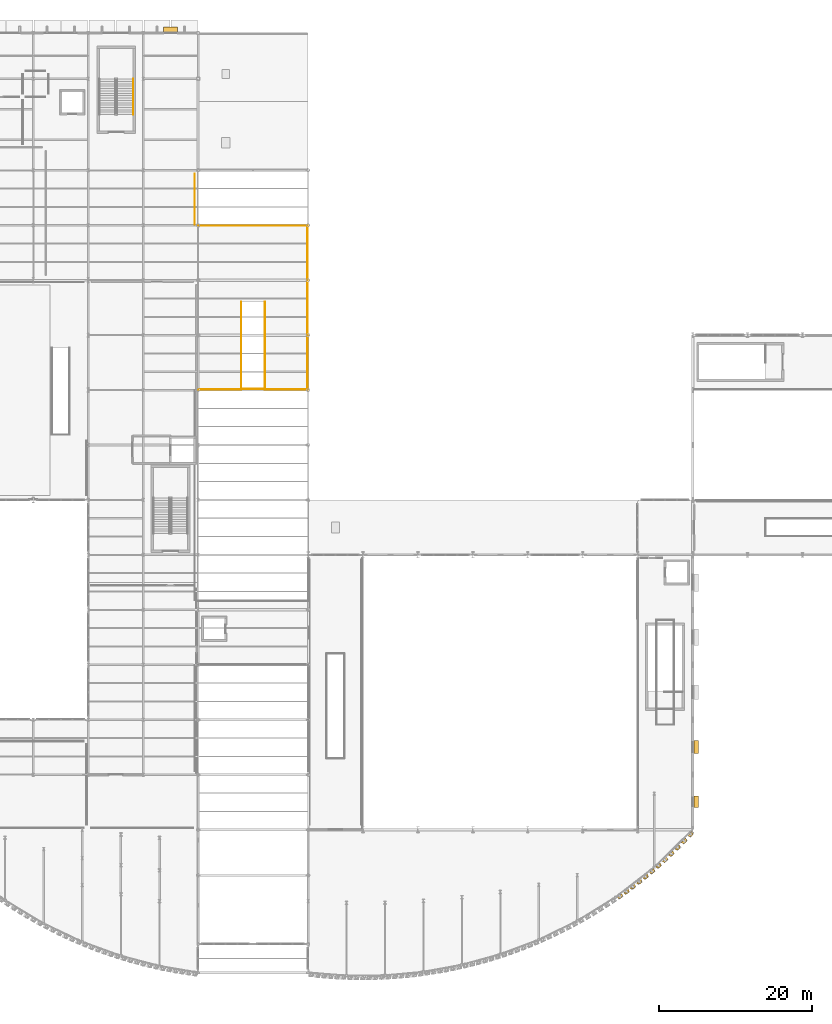
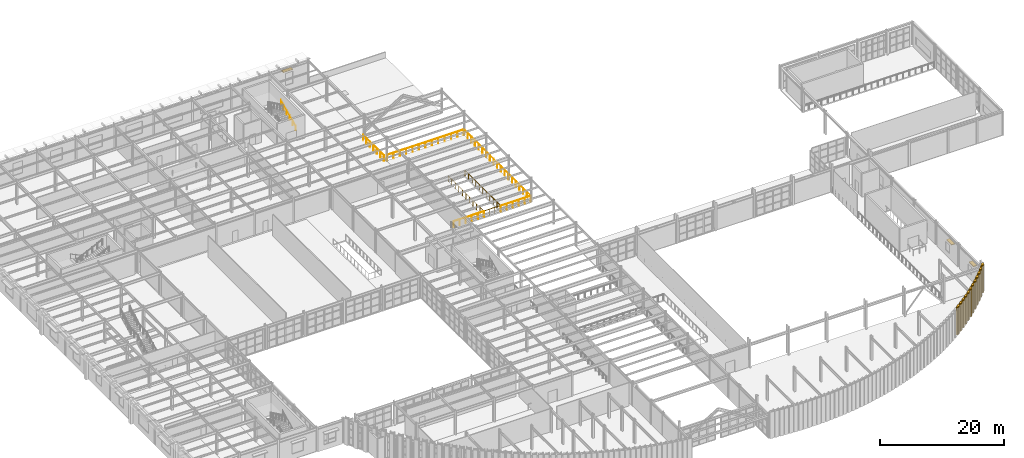
# One storey, part 125 of 126: 12 coverings, 7 railings, 3 shading devices.
"""IFC4 building model written with IfcOpenShell, lengths in metres."""

from ifc_helpers import new_model, si_unit, direction, frame, origin, origin_2d, place, context, subcontext, project, spatial, polyline, rectangle, circle, outline, extrude, material, layer, layer_set, type_object, element, save


model = new_model("IFC4")

# Units and contexts
model_context = context("Model", 3, precision=1e-05, world=origin(), true_north=direction((0.0, 1.0)))
body_context = subcontext(model_context, "Body", "Model", "MODEL_VIEW")
ifc_project = project(units=[si_unit("LENGTHUNIT", "METRE"), si_unit("AREAUNIT", "SQUARE_METRE"), si_unit("VOLUMEUNIT", "CUBIC_METRE"), si_unit("PLANEANGLEUNIT", "RADIAN"), si_unit("MASSUNIT", "GRAM", prefix="KILO")], contexts=[model_context])

# Site, building, storey
site_placement = place(None, origin())
site = spatial("IfcSite", under=ifc_project, at=site_placement, CompositionType="ELEMENT")
building_placement = place(site_placement, origin())
building = spatial("IfcBuilding", under=site, at=building_placement, Name="Solvadek Multi-Sports Hall", CompositionType="ELEMENT")
storey_placement = place(building_placement, frame((0.0, 0.0, 9.60009765625)))
storey = spatial("IfcBuildingStorey", under=building, at=storey_placement, Name="L02", CompositionType="ELEMENT", Elevation=9.60009765625)

# Coverings
ifc_material_1 = material(Name="Perforated champagne-bronze anodised aluminium", Category="aluminium")
ifc_layer = layer(ifc_material_1, 0.06494140625, Name="Perforated champagne-bronze anodised aluminium")
ifc_layer_set = layer_set([ifc_layer], Name="Perforated champagne-bronze anodised aluminium")
covering_type = type_object("IfcCoveringType", Name="ENV-COV-FLUTED", PredefinedType="CLADDING", material=ifc_layer_set)
covering_1_placement = place(storey_placement, frame((0.0, 0.0, 0.010009765625)))
element("IfcCovering", 1, at=covering_1_placement, inside=storey, type_object=covering_type, Name="L02 Perforated Bronze Half-Cylinder Fluted Shell #207", PredefinedType="CLADDING", context=body_context, shape_type="SweptSolid", body=[
    extrude(outline(polyline([(127.53125, -2.397216796875), (127.597412109375, -2.542724609375), (127.60302734375, -2.70263671875), (127.546875, -2.8525390625), (127.4375, -2.969482421875), (127.2919921875, -3.03564453125), (127.132080078125, -3.041015625), (126.982421875, -2.98486328125), (126.865478515625, -2.875732421875), (126.918212890625, -2.837890625), (126.832275390625, -2.9296875), (126.802001953125, -2.976806640625), (126.832275390625, -2.972412109375), (126.918212890625, -2.91650390625), (127.046630859375, -2.818359375), (127.198486328125, -2.692138671875), (127.35009765625, -2.5576171875), (127.478515625, -2.43505859375), (127.53125, -2.397216796875)])), origin(), (0.0, 0.0, 1.0), 5.489990234375),
])
covering_2_placement = place(storey_placement, frame((0.0, 0.0, 0.010009765625)))
element("IfcCovering", 2, at=covering_2_placement, inside=storey, type_object=covering_type, Name="L02 Perforated Bronze Half-Cylinder Fluted Shell #208", PredefinedType="CLADDING", context=body_context, shape_type="SweptSolid", body=[
    extrude(outline(polyline([(128.371337890625, -1.793701171875), (128.4375, -1.939208984375), (128.443115234375, -2.09912109375), (128.38671875, -2.248779296875), (128.277587890625, -2.36572265625), (128.132080078125, -2.431884765625), (127.97216796875, -2.4375), (127.822265625, -2.38134765625), (127.705322265625, -2.272216796875), (127.75830078125, -2.234130859375), (127.67236328125, -2.326171875), (127.64208984375, -2.373291015625), (127.67236328125, -2.36865234375), (127.75830078125, -2.31298828125), (127.88671875, -2.214599609375), (128.038330078125, -2.088623046875), (128.18994140625, -1.9541015625), (128.318603515625, -1.83154296875), (128.371337890625, -1.793701171875)])), origin(), (0.0, 0.0, 1.0), 5.489990234375),
])
covering_3_placement = place(storey_placement, frame((0.0, 0.0, 0.010009765625)))
element("IfcCovering", 3, at=covering_3_placement, inside=storey, type_object=covering_type, Name="L02 Perforated Bronze Half-Cylinder Fluted Shell #211", PredefinedType="CLADDING", context=body_context, shape_type="SweptSolid", body=[
    extrude(outline(polyline([(129.205322265625, -1.15234375), (129.27685546875, -1.29541015625), (129.2880859375, -1.455078125), (129.2373046875, -1.606689453125), (129.13232421875, -1.7275390625), (128.9892578125, -1.798828125), (128.82958984375, -1.810302734375), (128.677978515625, -1.759521484375), (128.55712890625, -1.654541015625), (128.6083984375, -1.61474609375), (128.52490234375, -1.702880859375), (128.49560546875, -1.74560546875), (128.52490234375, -1.736083984375), (128.6083984375, -1.676025390625), (128.733642578125, -1.574462890625), (128.881103515625, -1.44677734375), (129.02880859375, -1.3125), (129.154052734375, -1.192138671875), (129.205322265625, -1.15234375)])), origin(), (0.0, 0.0, 1.0), 5.489990234375),
])
covering_4_placement = place(storey_placement, frame((0.0, 0.0, 0.010009765625)))
element("IfcCovering", 4, at=covering_4_placement, inside=storey, type_object=covering_type, Name="L02 Perforated Bronze Half-Cylinder Fluted Shell #212", PredefinedType="CLADDING", context=body_context, shape_type="SweptSolid", body=[
    extrude(outline(polyline([(130.04541015625, -0.50146484375), (130.11669921875, -0.64453125), (130.1279296875, -0.80419921875), (130.077392578125, -0.955810546875), (129.972412109375, -1.07666015625), (129.8291015625, -1.148193359375), (129.669677734375, -1.1591796875), (129.517822265625, -1.108642578125), (129.397216796875, -1.003662109375), (129.448486328125, -0.9638671875), (129.364990234375, -1.05224609375), (129.335693359375, -1.0947265625), (129.364990234375, -1.08544921875), (129.448486328125, -1.025390625), (129.57373046875, -0.923583984375), (129.72119140625, -0.7958984375), (129.868896484375, -0.66162109375), (129.993896484375, -0.541259765625), (130.04541015625, -0.50146484375)])), origin(), (0.0, 0.0, 1.0), 5.489990234375),
])
covering_5_placement = place(storey_placement, frame((0.0, 0.0, 0.010009765625)))
element("IfcCovering", 5, at=covering_5_placement, inside=storey, type_object=covering_type, Name="L02 Perforated Bronze Half-Cylinder Fluted Shell #215", PredefinedType="CLADDING", context=body_context, shape_type="SweptSolid", body=[
    extrude(outline(polyline([(130.878662109375, 0.189208984375), (130.955322265625, 0.048828125), (130.972412109375, -0.1103515625), (130.927490234375, -0.263916015625), (130.8271484375, -0.38818359375), (130.686767578125, -0.465087890625), (130.527587890625, -0.482177734375), (130.3740234375, -0.43701171875), (130.24951171875, -0.336669921875), (130.29931640625, -0.294921875), (130.21826171875, -0.37939453125), (130.189697265625, -0.41748046875), (130.21826171875, -0.403076171875), (130.29931640625, -0.33837890625), (130.4208984375, -0.233642578125), (130.564208984375, -0.1044921875), (130.70751953125, 0.029296875), (130.828857421875, 0.1474609375), (130.878662109375, 0.189208984375)])), origin(), (0.0, 0.0, 1.0), 5.489990234375),
])
covering_6_placement = place(storey_placement, frame((0.0, 0.0, 0.010009765625)))
element("IfcCovering", 6, at=covering_6_placement, inside=storey, type_object=covering_type, Name="L02 Perforated Bronze Half-Cylinder Fluted Shell #216", PredefinedType="CLADDING", context=body_context, shape_type="SweptSolid", body=[
    extrude(outline(polyline([(131.71875, 0.891357421875), (131.79541015625, 0.7509765625), (131.8125, 0.591796875), (131.767578125, 0.4384765625), (131.6669921875, 0.313720703125), (131.526611328125, 0.237060546875), (131.36767578125, 0.219970703125), (131.214111328125, 0.26513671875), (131.089599609375, 0.365478515625), (131.139404296875, 0.406982421875), (131.058349609375, 0.32275390625), (131.02978515625, 0.284912109375), (131.058349609375, 0.29931640625), (131.139404296875, 0.36376953125), (131.260986328125, 0.468505859375), (131.404052734375, 0.59765625), (131.54736328125, 0.7314453125), (131.668701171875, 0.849609375), (131.71875, 0.891357421875)])), origin(), (0.0, 0.0, 1.0), 5.489990234375),
])
covering_7_placement = place(storey_placement, frame((0.0, 0.0, 0.010009765625)))
element("IfcCovering", 7, at=covering_7_placement, inside=storey, type_object=covering_type, Name="L02 Perforated Bronze Half-Cylinder Fluted Shell #219", PredefinedType="CLADDING", context=body_context, shape_type="SweptSolid", body=[
    extrude(outline(polyline([(132.55126953125, 1.635986328125), (132.63330078125, 1.498779296875), (132.656494140625, 1.34033203125), (132.6171875, 1.185302734375), (132.521728515625, 1.056884765625), (132.384521484375, 0.97509765625), (132.226318359375, 0.951904296875), (132.071044921875, 0.990966796875), (131.942626953125, 1.08642578125), (131.990966796875, 1.130126953125), (131.91259765625, 1.0498046875), (131.885009765625, 1.0166015625), (131.91259765625, 1.0361328125), (131.990966796875, 1.105224609375), (132.1083984375, 1.213134765625), (132.2470703125, 1.34375), (132.385498046875, 1.476806640625), (132.503173828125, 1.592529296875), (132.55126953125, 1.635986328125)])), origin(), (0.0, 0.0, 1.0), 5.489990234375),
])
covering_8_placement = place(storey_placement, frame((0.0, 0.0, 0.010009765625)))
element("IfcCovering", 8, at=covering_8_placement, inside=storey, type_object=covering_type, Name="L02 Perforated Bronze Half-Cylinder Fluted Shell #220", PredefinedType="CLADDING", context=body_context, shape_type="SweptSolid", body=[
    extrude(outline(polyline([(133.391357421875, 2.394775390625), (133.473388671875, 2.25732421875), (133.49658203125, 2.09912109375), (133.457275390625, 1.94384765625), (133.36181640625, 1.815673828125), (133.224609375, 1.733642578125), (133.066162109375, 1.71044921875), (132.9111328125, 1.74951171875), (132.78271484375, 1.84521484375), (132.8310546875, 1.888671875), (132.75244140625, 1.808349609375), (132.724853515625, 1.775390625), (132.75244140625, 1.794921875), (132.8310546875, 1.86376953125), (132.948486328125, 1.9716796875), (133.0869140625, 2.102294921875), (133.2255859375, 2.235595703125), (133.343017578125, 2.35107421875), (133.391357421875, 2.394775390625)])), origin(), (0.0, 0.0, 1.0), 5.489990234375),
])
covering_9_placement = place(storey_placement, frame((0.0, 0.0, 0.010009765625)))
element("IfcCovering", 9, at=covering_9_placement, inside=storey, type_object=covering_type, Name="L02 Perforated Bronze Half-Cylinder Fluted Shell #223", PredefinedType="CLADDING", context=body_context, shape_type="SweptSolid", body=[
    extrude(outline(polyline([(134.22314453125, 3.19921875), (134.310302734375, 3.065185546875), (134.33984375, 2.907958984375), (134.306884765625, 2.75146484375), (134.216552734375, 2.619384765625), (134.08251953125, 2.531982421875), (133.92529296875, 2.502685546875), (133.768798828125, 2.53564453125), (133.63671875, 2.6259765625), (133.68310546875, 2.67138671875), (133.607666015625, 2.59521484375), (133.5810546875, 2.567626953125), (133.607666015625, 2.59228515625), (133.68310546875, 2.666015625), (133.79638671875, 2.777099609375), (133.929931640625, 2.90869140625), (134.0634765625, 3.041015625), (134.176513671875, 3.15380859375), (134.22314453125, 3.19921875)])), origin(), (0.0, 0.0, 1.0), 5.489990234375),
])
covering_10_placement = place(storey_placement, frame((0.0, 0.0, 0.010009765625)))
element("IfcCovering", 10, at=covering_10_placement, inside=storey, type_object=covering_type, Name="L02 Perforated Bronze Half-Cylinder Fluted Shell #224", PredefinedType="CLADDING", context=body_context, shape_type="SweptSolid", body=[
    extrude(outline(polyline([(135.06298828125, 4.0205078125), (135.150390625, 3.88671875), (135.179931640625, 3.729248046875), (135.14697265625, 3.57275390625), (135.056640625, 3.44091796875), (134.922607421875, 3.353515625), (134.765380859375, 3.323974609375), (134.60888671875, 3.35693359375), (134.476806640625, 3.447265625), (134.523193359375, 3.49267578125), (134.447509765625, 3.416748046875), (134.421142578125, 3.388916015625), (134.447509765625, 3.413818359375), (134.523193359375, 3.4873046875), (134.636474609375, 3.598388671875), (134.77001953125, 3.72998046875), (134.9033203125, 3.8623046875), (135.0166015625, 3.97509765625), (135.06298828125, 4.0205078125)])), origin(), (0.0, 0.0, 1.0), 5.489990234375),
])
covering_11_placement = place(storey_placement, frame((0.0, 0.0, 0.010009765625)))
element("IfcCovering", 11, at=covering_11_placement, inside=storey, type_object=covering_type, Name="L02 Perforated Bronze Half-Cylinder Fluted Shell #227", PredefinedType="CLADDING", context=body_context, shape_type="SweptSolid", body=[
    extrude(outline(polyline([(135.893798828125, 4.89208984375), (135.98681640625, 4.76171875), (136.022705078125, 4.605712890625), (135.99609375, 4.447998046875), (135.911376953125, 4.3125), (135.781005859375, 4.219482421875), (135.625, 4.18359375), (135.46728515625, 4.210205078125), (135.331787109375, 4.294921875), (135.376220703125, 4.34228515625), (135.3037109375, 4.27099609375), (135.2783203125, 4.248779296875), (135.3037109375, 4.27880859375), (135.376220703125, 4.35693359375), (135.48486328125, 4.47119140625), (135.61279296875, 4.60400390625), (135.74072265625, 4.735107421875), (135.849365234375, 4.8447265625), (135.893798828125, 4.89208984375)])), origin(), (0.0, 0.0, 1.0), 5.489990234375),
])
covering_12_placement = place(storey_placement, frame((0.0, 0.0, 0.010009765625)))
element("IfcCovering", 12, at=covering_12_placement, inside=storey, type_object=covering_type, Name="L02 Perforated Bronze Half-Cylinder Fluted Shell #228", PredefinedType="CLADDING", context=body_context, shape_type="SweptSolid", body=[
    extrude(outline(polyline([(136.73388671875, 5.783935546875), (136.82666015625, 5.65380859375), (136.862548828125, 5.497802734375), (136.836181640625, 5.340087890625), (136.751220703125, 5.204345703125), (136.62109375, 5.111572265625), (136.465087890625, 5.07568359375), (136.307373046875, 5.10205078125), (136.171630859375, 5.18701171875), (136.21630859375, 5.234375), (136.143798828125, 5.162841796875), (136.118408203125, 5.140625), (136.143798828125, 5.1708984375), (136.21630859375, 5.248779296875), (136.32470703125, 5.363037109375), (136.452880859375, 5.495849609375), (136.580810546875, 5.626953125), (136.689208984375, 5.736572265625), (136.73388671875, 5.783935546875)])), origin(), (0.0, 0.0, 1.0), 5.489990234375),
])

# Shading devices
shading_device_type = type_object("IfcShadingDeviceType", Name="ENV-SHD-CHAJJA2", PredefinedType="JALOUSIE", material=ifc_material_1)
shading_device_1_placement = place(storey_placement, frame((68.373291015625, 110.869384765625, 3.419921875), z_axis=(0.0, 0.0, 1.0), x_axis=(1.0, 0.0, 0.0)))
element("IfcShadingDevice", 13, at=shading_device_1_placement, inside=storey, type_object=shading_device_type, Name="L02 Chajja Solar Shading Hood #46", PredefinedType="JALOUSIE", context=body_context, shape_type="SweptSolid", body=[
    extrude(rectangle(XDim=1.800048828125, YDim=0.639892578125, at=origin_2d()), origin(), (0.0, 0.0, 1.0), 0.1201171875),
])
shading_device_2_placement = place(storey_placement, frame((137.26953125, 9.64990234375, 2.619873046875), z_axis=(0.0, 0.0, 1.0), x_axis=(0.0, 1.0, 0.0)))
element("IfcShadingDevice", 14, at=shading_device_2_placement, inside=storey, type_object=shading_device_type, Name="L02 Chajja Solar Shading Hood #57", PredefinedType="JALOUSIE", context=body_context, shape_type="SweptSolid", body=[
    extrude(rectangle(XDim=1.5, YDim=0.639892578125, at=origin_2d()), origin(), (0.0, 0.0, 1.0), 0.1201171875),
])
shading_device_3_placement = place(storey_placement, frame((137.26953125, 16.800048828125, 2.619873046875), z_axis=(0.0, 0.0, 1.0), x_axis=(0.0, 1.0, 0.0)))
element("IfcShadingDevice", 15, at=shading_device_3_placement, inside=storey, type_object=shading_device_type, Name="L02 Chajja Solar Shading Hood #59", PredefinedType="JALOUSIE", context=body_context, shape_type="SweptSolid", body=[
    extrude(rectangle(XDim=1.699951171875, YDim=0.639892578125, at=origin_2d()), origin(), (0.0, 0.0, 1.0), 0.1201171875),
])

# Railings
ifc_material_2 = material(Name="Steel E250 (250 MPa)", Category="steel")
railing_type_1 = type_object("IfcRailingType", Name="INT-RAL-GRD115", PredefinedType="BALUSTRADE", material=ifc_material_2)
railing_1_placement = place(storey_placement, frame((77.639892578125, 75.1201171875, 0.0)))
element("IfcRailing", 16, at=railing_1_placement, inside=storey, type_object=railing_type_1, Name="L02 Void Edge Balustrade Guard #4", PredefinedType="BALUSTRADE", context=body_context, shape_type="SweptSolid", body=[
    extrude(circle(Radius=0.02392578125, at=origin_2d()), frame((0.0, 0.0, 1.1259765625), z_axis=(0.0, -1.0, 0.0), x_axis=(1.0, 0.0, 0.0)), (0.0, 0.0, 1.0), 11.380126953125),
    extrude(circle(Radius=0.02392578125, at=origin_2d()), frame((0.0, -11.380126953125, 1.1259765625), z_axis=(1.0, 0.0, 0.0), x_axis=(0.0, 1.0, 0.0)), (0.0, 0.0, 1.0), 3.1201171875),
    extrude(circle(Radius=0.02392578125, at=origin_2d()), frame((3.1201171875, -11.380126953125, 1.1259765625), z_axis=(0.0, 1.0, 0.0), x_axis=(-1.0, 0.0, 0.0)), (0.0, 0.0, 1.0), 11.380126953125),
    extrude(circle(Radius=0.02099609375, at=origin_2d()), origin(), (0.0, 0.0, 1.0), 1.101806640625),
    extrude(circle(Radius=0.02099609375, at=origin_2d()), frame((0.0, -1.137939453125, 0.0)), (0.0, 0.0, 1.0), 1.101806640625),
    extrude(circle(Radius=0.02099609375, at=origin_2d()), frame((0.0, -2.276123046875, 0.0)), (0.0, 0.0, 1.0), 1.101806640625),
    extrude(circle(Radius=0.02099609375, at=origin_2d()), frame((0.0, -3.4140625, 0.0)), (0.0, 0.0, 1.0), 1.101806640625),
    extrude(circle(Radius=0.02099609375, at=origin_2d()), frame((0.0, -4.552001953125, 0.0)), (0.0, 0.0, 1.0), 1.101806640625),
    extrude(circle(Radius=0.02099609375, at=origin_2d()), frame((0.0, -5.68994140625, 0.0)), (0.0, 0.0, 1.0), 1.101806640625),
    extrude(circle(Radius=0.02099609375, at=origin_2d()), frame((0.0, -6.828125, 0.0)), (0.0, 0.0, 1.0), 1.101806640625),
    extrude(circle(Radius=0.02099609375, at=origin_2d()), frame((0.0, -7.966064453125, 0.0)), (0.0, 0.0, 1.0), 1.101806640625),
    extrude(circle(Radius=0.02099609375, at=origin_2d()), frame((0.0, -9.10400390625, 0.0)), (0.0, 0.0, 1.0), 1.101806640625),
    extrude(circle(Radius=0.02099609375, at=origin_2d()), frame((0.0, -10.2421875, 0.0)), (0.0, 0.0, 1.0), 1.101806640625),
    extrude(circle(Radius=0.02099609375, at=origin_2d()), frame((0.0, -11.380126953125, 0.0)), (0.0, 0.0, 1.0), 1.101806640625),
    extrude(circle(Radius=0.02099609375, at=origin_2d()), frame((1.0400390625, -11.380126953125, 0.0)), (0.0, 0.0, 1.0), 1.101806640625),
    extrude(circle(Radius=0.02099609375, at=origin_2d()), frame((2.080078125, -11.380126953125, 0.0)), (0.0, 0.0, 1.0), 1.101806640625),
    extrude(circle(Radius=0.02099609375, at=origin_2d()), frame((3.1201171875, -11.380126953125, 0.0)), (0.0, 0.0, 1.0), 1.101806640625),
    extrude(circle(Radius=0.02099609375, at=origin_2d()), frame((3.1201171875, -10.2421875, 0.0)), (0.0, 0.0, 1.0), 1.101806640625),
    extrude(circle(Radius=0.02099609375, at=origin_2d()), frame((3.1201171875, -9.10400390625, 0.0)), (0.0, 0.0, 1.0), 1.101806640625),
    extrude(circle(Radius=0.02099609375, at=origin_2d()), frame((3.1201171875, -7.966064453125, 0.0)), (0.0, 0.0, 1.0), 1.101806640625),
    extrude(circle(Radius=0.02099609375, at=origin_2d()), frame((3.1201171875, -6.828125, 0.0)), (0.0, 0.0, 1.0), 1.101806640625),
    extrude(circle(Radius=0.02099609375, at=origin_2d()), frame((3.1201171875, -5.68994140625, 0.0)), (0.0, 0.0, 1.0), 1.101806640625),
    extrude(circle(Radius=0.02099609375, at=origin_2d()), frame((3.1201171875, -4.552001953125, 0.0)), (0.0, 0.0, 1.0), 1.101806640625),
    extrude(circle(Radius=0.02099609375, at=origin_2d()), frame((3.1201171875, -3.4140625, 0.0)), (0.0, 0.0, 1.0), 1.101806640625),
    extrude(circle(Radius=0.02099609375, at=origin_2d()), frame((3.1201171875, -2.276123046875, 0.0)), (0.0, 0.0, 1.0), 1.101806640625),
    extrude(circle(Radius=0.02099609375, at=origin_2d()), frame((3.1201171875, -1.137939453125, 0.0)), (0.0, 0.0, 1.0), 1.101806640625),
    extrude(circle(Radius=0.02099609375, at=origin_2d()), frame((3.1201171875, 0.0, 0.0)), (0.0, 0.0, 1.0), 1.101806640625),
])
railing_2_placement = place(storey_placement, frame((71.550048828125, 85.260009765625, 0.0)))
element("IfcRailing", 17, at=railing_2_placement, inside=storey, type_object=railing_type_1, Name="L02 Void Edge Balustrade Guard #19", PredefinedType="BALUSTRADE", context=body_context, shape_type="SweptSolid", body=[
    extrude(circle(Radius=0.02392578125, at=origin_2d()), frame((0.0, 0.0, 1.1259765625), z_axis=(0.0, 1.0, 0.0), x_axis=(-1.0, 0.0, 0.0)), (0.0, 0.0, 1.0), 6.68994140625),
    extrude(circle(Radius=0.02099609375, at=origin_2d()), origin(), (0.0, 0.0, 1.0), 1.101806640625),
    extrude(circle(Radius=0.02099609375, at=origin_2d()), frame((0.0, 1.114990234375, 0.0)), (0.0, 0.0, 1.0), 1.101806640625),
    extrude(circle(Radius=0.02099609375, at=origin_2d()), frame((0.0, 2.22998046875, 0.0)), (0.0, 0.0, 1.0), 1.101806640625),
    extrude(circle(Radius=0.02099609375, at=origin_2d()), frame((0.0, 3.344970703125, 0.0)), (0.0, 0.0, 1.0), 1.101806640625),
    extrude(circle(Radius=0.02099609375, at=origin_2d()), frame((0.0, 4.4599609375, 0.0)), (0.0, 0.0, 1.0), 1.101806640625),
    extrude(circle(Radius=0.02099609375, at=origin_2d()), frame((0.0, 5.574951171875, 0.0)), (0.0, 0.0, 1.0), 1.101806640625),
    extrude(circle(Radius=0.02099609375, at=origin_2d()), frame((0.0, 6.68994140625, 0.0)), (0.0, 0.0, 1.0), 1.101806640625),
])
railing_3_placement = place(storey_placement, frame((86.340087890625, 63.659912109375, 0.0)))
element("IfcRailing", 18, at=railing_3_placement, inside=storey, type_object=railing_type_1, Name="L02 Void Edge Balustrade Guard #25", PredefinedType="BALUSTRADE", context=body_context, shape_type="SweptSolid", body=[
    extrude(circle(Radius=0.02392578125, at=origin_2d()), frame((0.0, 0.0, 1.1259765625), z_axis=(0.0, 1.0, 0.0), x_axis=(-1.0, 0.0, 0.0)), (0.0, 0.0, 1.0), 21.47998046875),
    extrude(circle(Radius=0.02099609375, at=origin_2d()), origin(), (0.0, 0.0, 1.0), 1.101806640625),
    extrude(circle(Radius=0.02099609375, at=origin_2d()), frame((0.0, 1.193359375, 0.0)), (0.0, 0.0, 1.0), 1.101806640625),
    extrude(circle(Radius=0.02099609375, at=origin_2d()), frame((0.0, 2.38671875, 0.0)), (0.0, 0.0, 1.0), 1.101806640625),
    extrude(circle(Radius=0.02099609375, at=origin_2d()), frame((0.0, 3.580078125, 0.0)), (0.0, 0.0, 1.0), 1.101806640625),
    extrude(circle(Radius=0.02099609375, at=origin_2d()), frame((0.0, 4.7734375, 0.0)), (0.0, 0.0, 1.0), 1.101806640625),
    extrude(circle(Radius=0.02099609375, at=origin_2d()), frame((0.0, 5.966552734375, 0.0)), (0.0, 0.0, 1.0), 1.101806640625),
    extrude(circle(Radius=0.02099609375, at=origin_2d()), frame((0.0, 7.159912109375, 0.0)), (0.0, 0.0, 1.0), 1.101806640625),
    extrude(circle(Radius=0.02099609375, at=origin_2d()), frame((0.0, 8.353271484375, 0.0)), (0.0, 0.0, 1.0), 1.101806640625),
    extrude(circle(Radius=0.02099609375, at=origin_2d()), frame((0.0, 9.546630859375, 0.0)), (0.0, 0.0, 1.0), 1.101806640625),
    extrude(circle(Radius=0.02099609375, at=origin_2d()), frame((0.0, 10.739990234375, 0.0)), (0.0, 0.0, 1.0), 1.101806640625),
    extrude(circle(Radius=0.02099609375, at=origin_2d()), frame((0.0, 11.933349609375, 0.0)), (0.0, 0.0, 1.0), 1.101806640625),
    extrude(circle(Radius=0.02099609375, at=origin_2d()), frame((0.0, 13.126708984375, 0.0)), (0.0, 0.0, 1.0), 1.101806640625),
    extrude(circle(Radius=0.02099609375, at=origin_2d()), frame((0.0, 14.320068359375, 0.0)), (0.0, 0.0, 1.0), 1.101806640625),
    extrude(circle(Radius=0.02099609375, at=origin_2d()), frame((0.0, 15.513427734375, 0.0)), (0.0, 0.0, 1.0), 1.101806640625),
    extrude(circle(Radius=0.02099609375, at=origin_2d()), frame((0.0, 16.70654296875, 0.0)), (0.0, 0.0, 1.0), 1.101806640625),
    extrude(circle(Radius=0.02099609375, at=origin_2d()), frame((0.0, 17.89990234375, 0.0)), (0.0, 0.0, 1.0), 1.101806640625),
    extrude(circle(Radius=0.02099609375, at=origin_2d()), frame((0.0, 19.09326171875, 0.0)), (0.0, 0.0, 1.0), 1.101806640625),
    extrude(circle(Radius=0.02099609375, at=origin_2d()), frame((0.0, 20.28662109375, 0.0)), (0.0, 0.0, 1.0), 1.101806640625),
    extrude(circle(Radius=0.02099609375, at=origin_2d()), frame((0.0, 21.47998046875, 0.0)), (0.0, 0.0, 1.0), 1.101806640625),
])
railing_4_placement = place(storey_placement, frame((72.06005859375, 63.659912109375, 0.0)))
element("IfcRailing", 19, at=railing_4_placement, inside=storey, type_object=railing_type_1, Name="L02 Void Edge Balustrade Guard #60", PredefinedType="BALUSTRADE", context=body_context, shape_type="SweptSolid", body=[
    extrude(circle(Radius=0.02392578125, at=origin_2d()), frame((0.0, 0.0, 1.1259765625), z_axis=(1.0, 0.0, 0.0), x_axis=(0.0, 1.0, 0.0)), (0.0, 0.0, 1.0), 5.579833984375),
    extrude(circle(Radius=0.02099609375, at=origin_2d()), origin(), (0.0, 0.0, 1.0), 1.101806640625),
    extrude(circle(Radius=0.02099609375, at=origin_2d()), frame((1.115966796875, 0.0, 0.0)), (0.0, 0.0, 1.0), 1.101806640625),
    extrude(circle(Radius=0.02099609375, at=origin_2d()), frame((2.23193359375, 0.0, 0.0)), (0.0, 0.0, 1.0), 1.101806640625),
    extrude(circle(Radius=0.02099609375, at=origin_2d()), frame((3.347900390625, 0.0, 0.0)), (0.0, 0.0, 1.0), 1.101806640625),
    extrude(circle(Radius=0.02099609375, at=origin_2d()), frame((4.4638671875, 0.0, 0.0)), (0.0, 0.0, 1.0), 1.101806640625),
    extrude(circle(Radius=0.02099609375, at=origin_2d()), frame((5.579833984375, 0.0, 0.0)), (0.0, 0.0, 1.0), 1.101806640625),
])
railing_5_placement = place(storey_placement, frame((80.760009765625, 63.659912109375, 0.0)))
element("IfcRailing", 20, at=railing_5_placement, inside=storey, type_object=railing_type_1, Name="L02 Void Edge Balustrade Guard #61", PredefinedType="BALUSTRADE", context=body_context, shape_type="SweptSolid", body=[
    extrude(circle(Radius=0.02392578125, at=origin_2d()), frame((0.0, 0.0, 1.1259765625), z_axis=(1.0, 0.0, 0.0), x_axis=(0.0, 1.0, 0.0)), (0.0, 0.0, 1.0), 5.580078125),
    extrude(circle(Radius=0.02099609375, at=origin_2d()), origin(), (0.0, 0.0, 1.0), 1.101806640625),
    extrude(circle(Radius=0.02099609375, at=origin_2d()), frame((1.115966796875, 0.0, 0.0)), (0.0, 0.0, 1.0), 1.101806640625),
    extrude(circle(Radius=0.02099609375, at=origin_2d()), frame((2.23193359375, 0.0, 0.0)), (0.0, 0.0, 1.0), 1.101806640625),
    extrude(circle(Radius=0.02099609375, at=origin_2d()), frame((3.34814453125, 0.0, 0.0)), (0.0, 0.0, 1.0), 1.101806640625),
    extrude(circle(Radius=0.02099609375, at=origin_2d()), frame((4.464111328125, 0.0, 0.0)), (0.0, 0.0, 1.0), 1.101806640625),
    extrude(circle(Radius=0.02099609375, at=origin_2d()), frame((5.580078125, 0.0, 0.0)), (0.0, 0.0, 1.0), 1.101806640625),
])
railing_6_placement = place(storey_placement, frame((72.06005859375, 85.139892578125, 0.0)))
element("IfcRailing", 21, at=railing_6_placement, inside=storey, type_object=railing_type_1, Name="L02 Void Edge Balustrade Guard #62", PredefinedType="BALUSTRADE", context=body_context, shape_type="SweptSolid", body=[
    extrude(circle(Radius=0.02392578125, at=origin_2d()), frame((0.0, 0.0, 1.1259765625), z_axis=(1.0, 0.0, 0.0), x_axis=(0.0, 1.0, 0.0)), (0.0, 0.0, 1.0), 14.280029296875),
    extrude(circle(Radius=0.02099609375, at=origin_2d()), origin(), (0.0, 0.0, 1.0), 1.101806640625),
    extrude(circle(Radius=0.02099609375, at=origin_2d()), frame((1.18994140625, 0.0, 0.0)), (0.0, 0.0, 1.0), 1.101806640625),
    extrude(circle(Radius=0.02099609375, at=origin_2d()), frame((2.3798828125, 0.0, 0.0)), (0.0, 0.0, 1.0), 1.101806640625),
    extrude(circle(Radius=0.02099609375, at=origin_2d()), frame((3.570068359375, 0.0, 0.0)), (0.0, 0.0, 1.0), 1.101806640625),
    extrude(circle(Radius=0.02099609375, at=origin_2d()), frame((4.760009765625, 0.0, 0.0)), (0.0, 0.0, 1.0), 1.101806640625),
    extrude(circle(Radius=0.02099609375, at=origin_2d()), frame((5.949951171875, 0.0, 0.0)), (0.0, 0.0, 1.0), 1.101806640625),
    extrude(circle(Radius=0.02099609375, at=origin_2d()), frame((7.14013671875, 0.0, 0.0)), (0.0, 0.0, 1.0), 1.101806640625),
    extrude(circle(Radius=0.02099609375, at=origin_2d()), frame((8.330078125, 0.0, 0.0)), (0.0, 0.0, 1.0), 1.101806640625),
    extrude(circle(Radius=0.02099609375, at=origin_2d()), frame((9.52001953125, 0.0, 0.0)), (0.0, 0.0, 1.0), 1.101806640625),
    extrude(circle(Radius=0.02099609375, at=origin_2d()), frame((10.7099609375, 0.0, 0.0)), (0.0, 0.0, 1.0), 1.101806640625),
    extrude(circle(Radius=0.02099609375, at=origin_2d()), frame((11.89990234375, 0.0, 0.0)), (0.0, 0.0, 1.0), 1.101806640625),
    extrude(circle(Radius=0.02099609375, at=origin_2d()), frame((13.090087890625, 0.0, 0.0)), (0.0, 0.0, 1.0), 1.101806640625),
    extrude(circle(Radius=0.02099609375, at=origin_2d()), frame((14.280029296875, 0.0, 0.0)), (0.0, 0.0, 1.0), 1.101806640625),
])
railing_type_2 = type_object("IfcRailingType", Name="INT-RAL-HND090", PredefinedType="HANDRAIL", material=ifc_material_2)
railing_7_placement = place(storey_placement, frame((63.5, 99.699951171875, 0.14990234375)))
element("IfcRailing", 22, at=railing_7_placement, inside=storey, type_object=railing_type_2, Name="L02 ST-03 stair handrail 1", PredefinedType="HANDRAIL", context=body_context, shape_type="SweptSolid", body=[
    extrude(circle(Radius=0.02392578125, at=origin_2d()), frame((0.0, 0.0, 0.8759765625), z_axis=(0.0, 0.900164630878, 0.435549810373), x_axis=(-1.0, 0.0, 0.0)), (0.0, 0.0, 1.0), 5.165771484375),
    extrude(circle(Radius=0.02099609375, at=origin_2d()), origin(), (0.0, 0.0, 1.0), 0.851806640625),
    extrude(circle(Radius=0.02099609375, at=origin_2d()), frame((0.0, 0.929931640625, 0.449951171875)), (0.0, 0.0, 1.0), 0.851806640625),
    extrude(circle(Radius=0.02099609375, at=origin_2d()), frame((0.0, 1.860107421875, 0.89990234375)), (0.0, 0.0, 1.0), 0.851806640625),
    extrude(circle(Radius=0.02099609375, at=origin_2d()), frame((0.0, 2.7900390625, 1.35009765625)), (0.0, 0.0, 1.0), 0.851806640625),
    extrude(circle(Radius=0.02099609375, at=origin_2d()), frame((0.0, 3.72021484375, 1.800048828125)), (0.0, 0.0, 1.0), 0.851806640625),
    extrude(circle(Radius=0.02099609375, at=origin_2d()), frame((0.0, 4.650146484375, 2.25)), (0.0, 0.0, 1.0), 0.851806640625),
])

save(model, "model.ifc")
